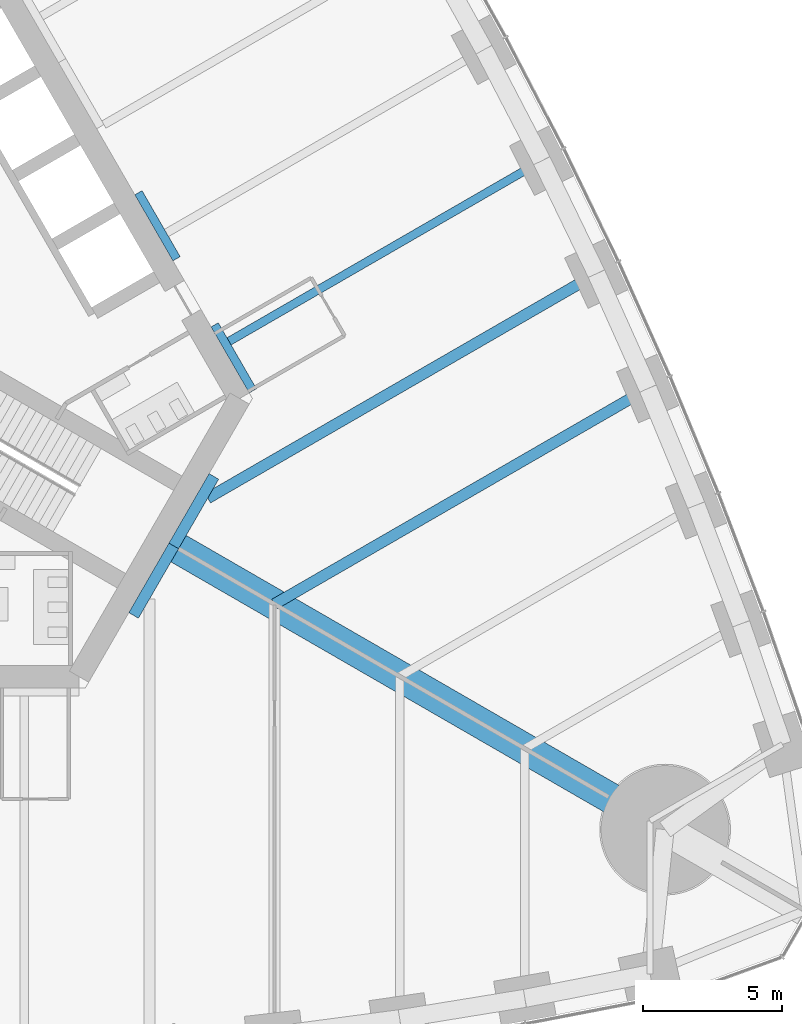
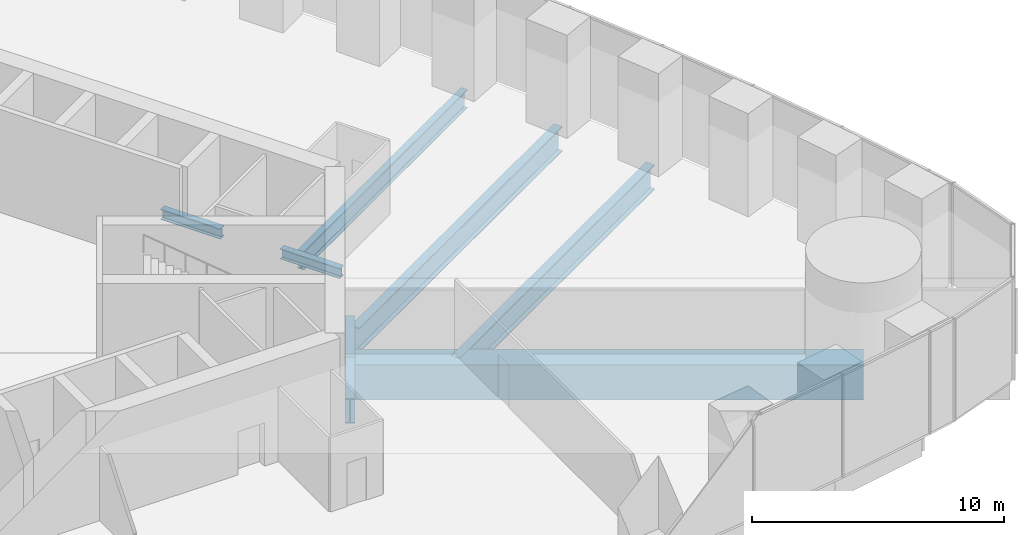
# One storey, part 6 of 21: 8 beams.
"""IFC4 building model written with IfcOpenShell, lengths in metres."""

from ifc_helpers import new_model, si_unit, direction, frame, origin, origin_2d, place, context, subcontext, project, spatial, rectangle, i_section, extrude, material, material_profile, profile_set, type_object, element, save


model = new_model("IFC4")

# Units and contexts
model_context = context("Model", 3, precision=1e-05, world=origin(), true_north=direction((0.0, 1.0)))
body_context = subcontext(model_context, "Body", "Model", "MODEL_VIEW")
ifc_project = project(units=[si_unit("LENGTHUNIT", "METRE"), si_unit("AREAUNIT", "SQUARE_METRE"), si_unit("VOLUMEUNIT", "CUBIC_METRE"), si_unit("PLANEANGLEUNIT", "RADIAN"), si_unit("MASSUNIT", "GRAM", prefix="KILO")], contexts=[model_context])

# Site, building, storey
site_placement = place(None, origin())
site = spatial("IfcSite", under=ifc_project, at=site_placement, CompositionType="ELEMENT")
building_placement = place(site_placement, origin())
building = spatial("IfcBuilding", under=site, at=building_placement, Name="Trefoil Bronze Tower", CompositionType="ELEMENT")
storey_placement = place(building_placement, frame((0.0, 0.0, 6.5)))
storey = spatial("IfcBuildingStorey", under=building, at=storey_placement, Name="L01", CompositionType="ELEMENT", Elevation=6.5)

# Beams
ifc_material_1 = material(Name="Steel C355", Category="steel")
ifc_material_profile_1 = material_profile(ifc_material_1, i_section(OverallWidth=0.300048828125, OverallDepth=0.5, WebThickness=0.014404296875, FlangeThickness=0.028076171875, FilletRadius=0.027099609375, at=origin_2d()), Name="HEB 500")
ifc_profile_set_1 = profile_set([ifc_material_profile_1], Name="Steel C355")
beam_type_1 = type_object("IfcBeamType", Name="Core seat beam HEB 500", PredefinedType="BEAM", material=ifc_profile_set_1)
for number, where, z_axis, x_axis, name in (
    (1, (17.219482421875, -2.72509765625, -0.449951171875), (-0.500035825175, 0.866004719122, 0.0), (-0.866004719122, -0.500035825175, 0.0), "Core seat beam F2/-2 L01"),
    (2, (14.47705078125, 2.02490234375, -0.449951171875), (-0.499969057507, 0.866043267704, 0.0), (-0.866043267704, -0.499969057507, 0.0), "Core seat beam F2/-1 L01"),
):
    element("IfcBeam", number, at=place(storey_placement, frame(where, z_axis=z_axis, x_axis=x_axis)), inside=storey, type_object=beam_type_1, Name=name, PredefinedType="BEAM", context=body_context, shape_type="SweptSolid", body=[
        extrude(i_section(OverallWidth=0.300048828125, OverallDepth=0.5, WebThickness=0.014404296875, FlangeThickness=0.028076171875, FilletRadius=0.027099609375, at=origin_2d()), origin(), (0.0, 0.0, 1.0), 2.742431640625),
    ])
ifc_material_2 = material(Name="Steel C355", Category="steel")
ifc_material_profile_2 = material_profile(ifc_material_2, i_section(OverallWidth=0.39990234375, OverallDepth=1.199951171875, WebThickness=0.02001953125, FlangeThickness=0.0400390625, FilletRadius=0.010009765625, at=origin_2d()), Name="WPG 1200")
ifc_profile_set_2 = profile_set([ifc_material_profile_2], Name="Steel C355")
beam_type_2 = type_object("IfcBeamType", Name="Core seat beam WPG 1200", PredefinedType="BEAM", material=ifc_profile_set_2)
for number, where, z_axis, x_axis, name in (
    (3, (12.9326171875, -10.800048828125, -0.800048828125), (0.499995765644, 0.866027848477, 0.0), (-0.866027848477, 0.499995765644, 0.0), "Core seat beam F1/+3 L01"),
    (4, (14.3759765625, -8.300048828125, -0.800048828125), (0.499995765644, 0.866027848477, 0.0), (-0.866027848477, 0.499995765644, 0.0), "Core seat beam F2/-3 L01"),
):
    element("IfcBeam", number, at=place(storey_placement, frame(where, z_axis=z_axis, x_axis=x_axis)), inside=storey, type_object=beam_type_2, Name=name, PredefinedType="BEAM", context=body_context, shape_type="SweptSolid", body=[
        extrude(i_section(OverallWidth=0.39990234375, OverallDepth=1.199951171875, WebThickness=0.02001953125, FlangeThickness=0.0400390625, FilletRadius=0.010009765625, at=origin_2d()), origin(), (0.0, 0.0, 1.0), 2.88671875),
    ])
ifc_material_3 = material(Name="Concrete B80", Category="concrete")
ifc_material_profile_3 = material_profile(ifc_material_3, rectangle(XDim=1.10009765625, YDim=1.699951171875, at=origin_2d()), Name="RC 1100x1700")
ifc_profile_set_3 = profile_set([ifc_material_profile_3], Name="Concrete B80")
beam_type_3 = type_object("IfcBeamType", Name="Corner girder RC 1100x1700", PredefinedType="BEAM", material=ifc_profile_set_3)
beam_1_placement = place(storey_placement, frame((14.202880859375, -8.199951171875, -1.050048828125), z_axis=(0.866023947468, -0.500002522405, 0.0), x_axis=(0.500002522405, 0.866023947468, 0.0)))
element("IfcBeam", 5, at=beam_1_placement, inside=storey, type_object=beam_type_3, Name="Corner girder K1 L01", PredefinedType="BEAM", context=body_context, shape_type="SweptSolid", body=[
    extrude(rectangle(XDim=1.10009765625, YDim=1.699951171875, at=origin_2d()), origin(), (0.0, 0.0, 1.0), 20.60009765625),
])
ifc_material_4 = material(Name="Steel C355", Category="steel")
ifc_material_profile_4 = material_profile(ifc_material_4, i_section(OverallWidth=0.300048828125, OverallDepth=0.89990234375, WebThickness=0.0185546875, FlangeThickness=0.034912109375, FilletRadius=0.030029296875, at=origin_2d()), Name="HEB 900")
ifc_profile_set_4 = profile_set([ifc_material_profile_4], Name="Steel C355")
beam_type_4 = type_object("IfcBeamType", Name="Floor beam HEB 900", PredefinedType="BEAM", material=ifc_profile_set_4)
beam_2_placement = place(storey_placement, frame((27.61083984375, 5.548828125, -0.64990234375), z_axis=(-0.866022474361, -0.500005073876, 0.0), x_axis=(0.500005073876, -0.866022474361, 0.0)))
element("IfcBeam", 6, at=beam_2_placement, inside=storey, type_object=beam_type_4, Name="Floor beam F2/-2 L01", PredefinedType="BEAM", context=body_context, shape_type="SweptSolid", body=[
    extrude(i_section(OverallWidth=0.300048828125, OverallDepth=0.89990234375, WebThickness=0.0185546875, FlangeThickness=0.034912109375, FilletRadius=0.030029296875, at=origin_2d()), origin(), (0.0, 0.0, 1.0), 12.986083984375),
])
ifc_material_5 = material(Name="Steel C355", Category="steel")
ifc_material_profile_5 = material_profile(ifc_material_5, i_section(OverallWidth=0.39990234375, OverallDepth=1.199951171875, WebThickness=0.02001953125, FlangeThickness=0.0400390625, FilletRadius=0.010009765625, at=origin_2d()), Name="WPG 1200")
ifc_profile_set_5 = profile_set([ifc_material_profile_5], Name="Steel C355")
beam_type_5 = type_object("IfcBeamType", Name="Floor beam WPG 1200", PredefinedType="BEAM", material=ifc_profile_set_5)
beam_3_placement = place(storey_placement, frame((31.42578125, -2.640869140625, -0.800048828125), z_axis=(-0.866022989816, -0.500004181093, 0.0), x_axis=(0.500004181093, -0.866022989816, 0.0)))
element("IfcBeam", 7, at=beam_3_placement, inside=storey, type_object=beam_type_5, Name="Floor beam F2/-4 L01", PredefinedType="BEAM", context=body_context, shape_type="SweptSolid", body=[
    extrude(i_section(OverallWidth=0.39990234375, OverallDepth=1.199951171875, WebThickness=0.02001953125, FlangeThickness=0.0400390625, FilletRadius=0.010009765625, at=origin_2d()), origin(), (0.0, 0.0, 1.0), 15.502685546875),
])
beam_4_placement = place(storey_placement, frame((29.575927734375, 1.487060546875, -0.800048828125), z_axis=(-0.866028401131, -0.499994808408, 0.0), x_axis=(0.499994808408, -0.866028401131, 0.0)))
element("IfcBeam", 8, at=beam_4_placement, inside=storey, type_object=beam_type_5, Name="Floor beam F2/-3 L01", PredefinedType="BEAM", context=body_context, shape_type="SweptSolid", body=[
    extrude(i_section(OverallWidth=0.39990234375, OverallDepth=1.199951171875, WebThickness=0.02001953125, FlangeThickness=0.0400390625, FilletRadius=0.010009765625, at=origin_2d()), origin(), (0.0, 0.0, 1.0), 16.139892578125),
])

save(model, "model.ifc")
